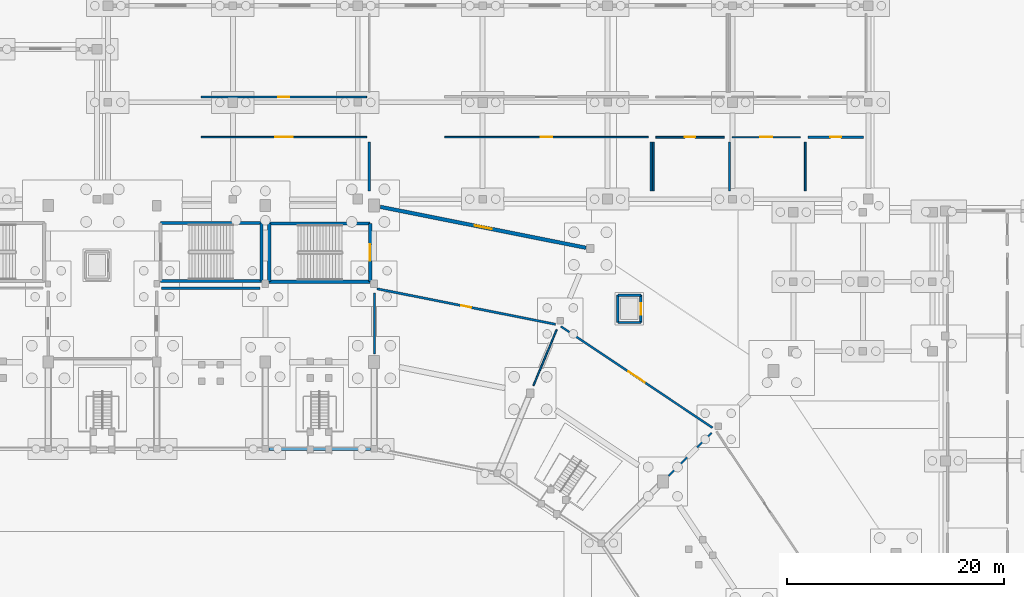
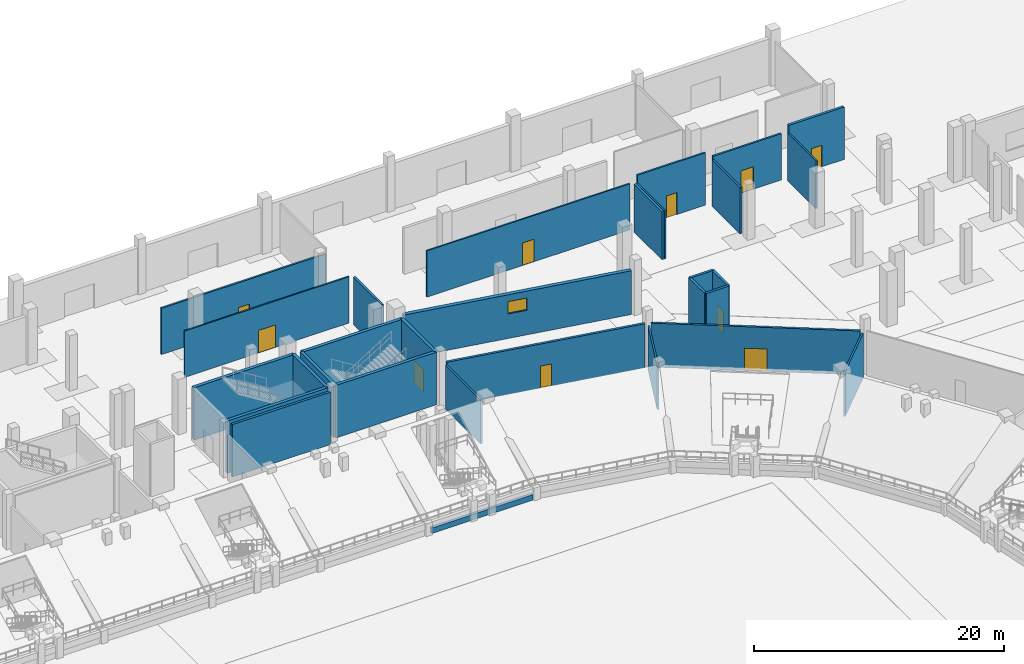
# One storey, part 40 of 68: 30 walls, 10 doors, 1 window, 11 openings.
"""IFC4 building model written with IfcOpenShell, lengths in metres."""

from ifc_helpers import new_model, si_unit, direction, frame, frame_2d, origin, place, context, subcontext, project, spatial, rectangle, extrude, material, layer, layer_set, type_object, element, fill, save


model = new_model("IFC4")

# Units and contexts
model_context = context("Model", 3, precision=1e-05, world=origin(), true_north=direction((0.0, 1.0)))
body_context = subcontext(model_context, "Body", "Model", "MODEL_VIEW")
ifc_project = project(units=[si_unit("LENGTHUNIT", "METRE"), si_unit("AREAUNIT", "SQUARE_METRE"), si_unit("VOLUMEUNIT", "CUBIC_METRE"), si_unit("PLANEANGLEUNIT", "RADIAN"), si_unit("MASSUNIT", "GRAM", prefix="KILO")], contexts=[model_context])

# Site, building, storey
site_placement = place(None, origin())
site = spatial("IfcSite", under=ifc_project, at=site_placement, CompositionType="ELEMENT")
building_placement = place(site_placement, origin())
building = spatial("IfcBuilding", under=site, at=building_placement, Name="Candeia Ridge Stadium", CompositionType="ELEMENT")
storey_placement = place(building_placement, origin())
storey = spatial("IfcBuildingStorey", under=building, at=storey_placement, Name="L00", CompositionType="ELEMENT", Elevation=0.0)

# Wall
ifc_material_1 = material(Name="Gypsum Metal-Stud Partition", Category="gypsum")
ifc_layer_1 = layer(ifc_material_1, 0.14501953125, Name="Gypsum Metal-Stud Partition", Category="gypsum")
ifc_layer_set_1 = layer_set([ifc_layer_1], Name="Gypsum Metal-Stud Partition")
wall_type_1 = type_object("IfcWallType", Name="Athlete Recovery Partition 145", PredefinedType="PARTITIONING", material=ifc_layer_set_1)
wall_1_placement = place(storey_placement, frame((155.67578125, 130.4306640625, 0.0), z_axis=(0.0, 0.0, 1.0), x_axis=(0.382682918336, 0.923879745429, 0.0)))
element("IfcWall", 1, at=wall_1_placement, inside=storey, type_object=wall_type_1, Name="Demising partition PT-L00-0175", PredefinedType="PARTITIONING", context=body_context, shape_type="SweptSolid", body=[
    extrude(rectangle(XDim=5.60009765625, YDim=0.14501953125, at=frame_2d((2.800048828125, 0.0))), origin(), (0.0, 0.0, 1.0), 4.304931640625),
])

# Wall, opening, door
ifc_material_2 = material(Name="Gypsum Acoustic Twin-Stud Assembly", Category="gypsum")
ifc_layer_2 = layer(ifc_material_2, 0.159912109375, Name="Gypsum Acoustic Twin-Stud Assembly", Category="gypsum")
ifc_layer_set_2 = layer_set([ifc_layer_2], Name="Gypsum Acoustic Twin-Stud Assembly")
wall_type_2 = type_object("IfcWallType", Name="Club Dining Acoustic Partition 160", PredefinedType="PARTITIONING", material=ifc_layer_set_2)
wall_2_placement = place(storey_placement, frame((166.949951171875, 153.300048828125, 0.0), z_axis=(0.0, 0.0, 1.0), x_axis=(1.0, 0.0, 0.0)))
wall_2 = element("IfcWall", 2, at=wall_2_placement, inside=storey, type_object=wall_type_2, Name="Interior partition PT-L00-0102", PredefinedType="PARTITIONING", context=body_context, shape_type="SweptSolid", body=[
    extrude(rectangle(XDim=6.300048828125, YDim=0.159912109375, at=frame_2d((3.14990234375, 0.0))), origin(), (0.0, 0.0, 1.0), 5.1201171875),
])
opening_1_placement = place(wall_2_placement, frame((2.659912109375, 0.0, 0.0)))
opening_1 = element("IfcOpeningElement", 3, at=opening_1_placement, cuts=wall_2, Name="Opening ID12", PredefinedType="OPENING", context=body_context, shape_type="SweptSolid", body=[
    extrude(rectangle(XDim=0.97998046875, YDim=2.14990234375, at=frame_2d((0.489990234375, 1.074951171875))), frame((0.0, 0.08984375, 0.0), z_axis=(0.0, -1.0, 0.0), x_axis=(1.0, 0.0, 0.0)), (0.0, 0.0, 1.0), 0.179931640625),
])
ifc_material_3 = material(Name="Acoustic Timber Studio Leaf", Category="wood")
door_type_1 = type_object("IfcDoorType", Name="Commentary Booth Acoustic Door 980x2150", OperationType="NOTDEFINED", PredefinedType="DOOR", material=ifc_material_3)
door_1_placement = place(opening_1_placement, origin())
door_1 = element("IfcDoor", 4, at=door_1_placement, inside=storey, type_object=door_type_1, Name="Interior room door D-L00-0055", OperationType="SINGLE_SWING_LEFT", OverallHeight=2.14990234375, OverallWidth=0.97998046875, PredefinedType="DOOR", context=body_context, shape_type="SweptSolid", body=[
    extrude(rectangle(XDim=0.97998046875, YDim=2.14990234375, at=frame_2d((0.489990234375, 1.074951171875))), frame((0.0, 0.02490234375, 0.0), z_axis=(0.0, -1.0, 0.0), x_axis=(1.0, 0.0, 0.0)), (0.0, 0.0, 1.0), 0.050048828125),
])
fill(opening_1, door_1)

# Walls
wall_3_placement = place(storey_placement, frame((166.699951171875, 148.35009765625, 0.0), z_axis=(0.0, 0.0, 1.0), x_axis=(0.0, 1.0, 0.0)))
element("IfcWall", 5, at=wall_3_placement, inside=storey, type_object=wall_type_2, Name="Demising partition PT-L00-0103", PredefinedType="PARTITIONING", context=body_context, shape_type="SweptSolid", body=[
    extrude(rectangle(XDim=4.5, YDim=0.159912109375, at=frame_2d((2.25, 0.0))), origin(), (0.0, 0.0, 1.0), 4.675048828125),
])
wall_4_placement = place(storey_placement, frame((168.117431640625, 122.117431640625, 0.0), z_axis=(0.0, 0.0, 1.0), x_axis=(0.707106781187, 0.707106781187, 0.0)))
element("IfcWall", 6, at=wall_4_placement, inside=storey, type_object=wall_type_2, Name="Demising partition PT-L00-0173", PredefinedType="PARTITIONING", context=body_context, shape_type="SweptSolid", body=[
    extrude(rectangle(XDim=5.600341796875, YDim=0.159912109375, at=frame_2d((2.80029296875, 0.0))), origin(), (0.0, 0.0, 1.0), 4.385009765625),
])
ifc_material_4 = material(Name="Concrete Masonry Blockwork C25/30", Category="masonry")
ifc_layer_3 = layer(ifc_material_4, 0.14990234375, Name="Concrete Masonry Blockwork C25/30", Category="masonry")
ifc_layer_set_3 = layer_set([ifc_layer_3], Name="Concrete Masonry Blockwork C25/30")
wall_type_3 = type_object("IfcWallType", Name="Concourse Kiosk Partition 150", PredefinedType="PARTITIONING", material=ifc_layer_set_3)
wall_5_placement = place(storey_placement, frame((180.699951171875, 148.35009765625, 0.0), z_axis=(0.0, 0.0, 1.0), x_axis=(0.0, 1.0, 0.0)))
element("IfcWall", 7, at=wall_5_placement, inside=storey, type_object=wall_type_3, Name="Demising partition PT-L00-0111", PredefinedType="PARTITIONING", context=body_context, shape_type="SweptSolid", body=[
    extrude(rectangle(XDim=4.5, YDim=0.14990234375, at=frame_2d((2.25, 0.0))), origin(), (0.0, 0.0, 1.0), 4.675048828125),
])
ifc_material_5 = material(Name="Concrete C45/55", Category="concrete")
ifc_layer_4 = layer(ifc_material_5, 0.300048828125, Name="Concrete C45/55", Category="concrete")
ifc_layer_set_4 = layer_set([ifc_layer_4], Name="Concrete C45/55")
wall_type_4 = type_object("IfcWallType", Name="Core Shear Wall Concrete 300", PredefinedType="SHEAR", material=ifc_layer_set_4)
wall_6_placement = place(storey_placement, frame((140.649658203125, 145.349609375, 0.0), z_axis=(0.0, 0.0, 1.0), x_axis=(-1.0, 0.0, 0.0)))
element("IfcWall", 8, at=wall_6_placement, inside=storey, type_object=wall_type_4, Name="Core C04 left shear wall L00", PredefinedType="SHEAR", context=body_context, shape_type="SweptSolid", body=[
    extrude(rectangle(XDim=9.29931640625, YDim=0.300048828125, at=frame_2d((4.649658203125, 0.0))), origin(), (0.0, 0.0, 1.0), 5.139892578125),
])
wall_7_placement = place(storey_placement, frame((131.350341796875, 145.349609375, 0.0), z_axis=(0.0, 0.0, 1.0), x_axis=(0.0, -1.0, 0.0)))
element("IfcWall", 9, at=wall_7_placement, inside=storey, type_object=wall_type_4, Name="Core C04 far shear wall L00", PredefinedType="SHEAR", context=body_context, shape_type="SweptSolid", body=[
    extrude(rectangle(XDim=5.34912109375, YDim=0.300048828125, at=frame_2d((2.674560546875, 0.0))), origin(), (0.0, 0.0, 1.0), 5.139892578125),
])
wall_8_placement = place(storey_placement, frame((131.350341796875, 140.00048828125, 0.0), z_axis=(0.0, 0.0, 1.0), x_axis=(1.0, 0.0, 0.0)))
element("IfcWall", 10, at=wall_8_placement, inside=storey, type_object=wall_type_4, Name="Core C04 right shear wall L00", PredefinedType="SHEAR", context=body_context, shape_type="SweptSolid", body=[
    extrude(rectangle(XDim=9.29931640625, YDim=0.300048828125, at=frame_2d((4.649658203125, 0.0))), origin(), (0.0, 0.0, 1.0), 5.139892578125),
])

# Wall, opening, door
wall_9_placement = place(storey_placement, frame((140.649658203125, 140.00048828125, 0.0), z_axis=(0.0, 0.0, 1.0), x_axis=(0.0, 1.0, 0.0)))
wall_9 = element("IfcWall", 11, at=wall_9_placement, inside=storey, type_object=wall_type_4, Name="Core C04 near shear wall L00", PredefinedType="SHEAR", context=body_context, shape_type="SweptSolid", body=[
    extrude(rectangle(XDim=5.34912109375, YDim=0.300048828125, at=frame_2d((2.674560546875, 0.0))), origin(), (0.0, 0.0, 1.0), 5.139892578125),
])
opening_2_placement = place(wall_9_placement, frame((1.924560546875, 0.0, 0.0)))
opening_2 = element("IfcOpeningElement", 12, at=opening_2_placement, cuts=wall_9, Name="Opening FD01", PredefinedType="OPENING", context=body_context, shape_type="SweptSolid", body=[
    extrude(rectangle(XDim=1.5, YDim=2.199951171875, at=frame_2d((0.75, 1.10009765625))), frame((0.0, 0.159912109375, 0.0), z_axis=(0.0, -1.0, 0.0), x_axis=(1.0, 0.0, 0.0)), (0.0, 0.0, 1.0), 0.320068359375),
])
ifc_material_6 = material(Name="Galvanized Fire-Rated Steel", Category="steel")
door_type_2 = type_object("IfcDoorType", Name="Exit Stair Core Fire Door 1500x2200", OperationType="NOTDEFINED", PredefinedType="DOOR", material=ifc_material_6)
door_2_placement = place(opening_2_placement, frame((1.5, 0.0, 0.0), z_axis=(0.0, 0.0, 1.0), x_axis=(-1.0, 0.0, 0.0)))
door_2 = element("IfcDoor", 13, at=door_2_placement, inside=storey, type_object=door_type_2, Name="Exit stair fire door SD-ST04-L00", OperationType="DOUBLE_DOOR_SINGLE_SWING", OverallHeight=2.199951171875, OverallWidth=1.5, PredefinedType="DOOR", context=body_context, shape_type="SweptSolid", body=[
    extrude(rectangle(XDim=1.5, YDim=2.199951171875, at=frame_2d((0.75, 1.10009765625))), frame((0.0, 0.02490234375, 0.0), z_axis=(0.0, -1.0, 0.0), x_axis=(1.0, 0.0, 0.0)), (0.0, 0.0, 1.0), 0.050048828125),
])
fill(opening_2, door_2)

# Walls
wall_10_placement = place(storey_placement, frame((121.350341796875, 140.05029296875, 0.0), z_axis=(0.0, 0.0, 1.0), x_axis=(1.0, 0.0, 0.0)))
element("IfcWall", 14, at=wall_10_placement, inside=storey, type_object=wall_type_4, Name="Core C10 left shear wall L00", PredefinedType="SHEAR", context=body_context, shape_type="SweptSolid", body=[
    extrude(rectangle(XDim=9.29931640625, YDim=0.300048828125, at=frame_2d((4.649658203125, 0.0))), origin(), (0.0, 0.0, 1.0), 5.139892578125),
])
wall_11_placement = place(storey_placement, frame((130.649658203125, 140.05029296875, 0.0), z_axis=(0.0, 0.0, 1.0), x_axis=(0.0, 1.0, 0.0)))
element("IfcWall", 15, at=wall_11_placement, inside=storey, type_object=wall_type_4, Name="Core C10 far shear wall L00", PredefinedType="SHEAR", context=body_context, shape_type="SweptSolid", body=[
    extrude(rectangle(XDim=5.349365234375, YDim=0.300048828125, at=frame_2d((2.6748046875, 0.0))), origin(), (0.0, 0.0, 1.0), 5.139892578125),
])
wall_12_placement = place(storey_placement, frame((130.649658203125, 145.399658203125, 0.0), z_axis=(0.0, 0.0, 1.0), x_axis=(-1.0, 0.0, 0.0)))
element("IfcWall", 16, at=wall_12_placement, inside=storey, type_object=wall_type_4, Name="Core C10 right shear wall L00", PredefinedType="SHEAR", context=body_context, shape_type="SweptSolid", body=[
    extrude(rectangle(XDim=9.29931640625, YDim=0.300048828125, at=frame_2d((4.649658203125, 0.0))), origin(), (0.0, 0.0, 1.0), 5.139892578125),
])

# Wall, opening, door
ifc_material_7 = material(Name="Moisture-Resistant Masonry & Tile", Category="masonry")
ifc_layer_5 = layer(ifc_material_7, 0.22998046875, Name="Moisture-Resistant Masonry & Tile", Category="masonry")
ifc_layer_set_5 = layer_set([ifc_layer_5], Name="Moisture-Resistant Masonry & Tile")
wall_type_5 = type_object("IfcWallType", Name="Dressing Suite Wet-Wall Chase 230", PredefinedType="PLUMBINGWALL", material=ifc_layer_set_5)
wall_13_placement = place(storey_placement, frame((180.949951171875, 153.300048828125, 0.0), z_axis=(0.0, 0.0, 1.0), x_axis=(1.0, 0.0, 0.0)))
wall_13 = element("IfcWall", 17, at=wall_13_placement, inside=storey, type_object=wall_type_5, Name="Interior partition PT-L00-0110", PredefinedType="PLUMBINGWALL", context=body_context, shape_type="SweptSolid", body=[
    extrude(rectangle(XDim=5.10009765625, YDim=0.22998046875, at=frame_2d((2.550048828125, 0.0))), origin(), (0.0, 0.0, 1.0), 5.1201171875),
])
opening_3_placement = place(wall_13_placement, frame((2.050048828125, 0.0, 0.0)))
opening_3 = element("IfcOpeningElement", 18, at=opening_3_placement, cuts=wall_13, Name="Opening ID06", PredefinedType="OPENING", context=body_context, shape_type="SweptSolid", body=[
    extrude(rectangle(XDim=1.0, YDim=2.10009765625, at=frame_2d((0.5, 1.050048828125))), frame((0.0, 0.125, 0.0), z_axis=(0.0, -1.0, 0.0), x_axis=(1.0, 0.0, 0.0)), (0.0, 0.0, 1.0), 0.25),
])
ifc_material_8 = material(Name="Moisture-Resistant Laminate", Category="wood")
door_type_3 = type_object("IfcDoorType", Name="Accessible Sanitary Door 1000x2100", OperationType="NOTDEFINED", PredefinedType="DOOR", material=ifc_material_8)
door_3_placement = place(opening_3_placement, frame((1.0, 0.0, 0.0), z_axis=(0.0, 0.0, 1.0), x_axis=(-1.0, 0.0, 0.0)))
door_3 = element("IfcDoor", 19, at=door_3_placement, inside=storey, type_object=door_type_3, Name="Interior room door D-L00-0059", OperationType="SINGLE_SWING_RIGHT", OverallHeight=2.10009765625, OverallWidth=1.0, PredefinedType="DOOR", context=body_context, shape_type="SweptSolid", body=[
    extrude(rectangle(XDim=1.0, YDim=2.10009765625, at=frame_2d((0.5, 1.050048828125))), frame((0.0, 0.02490234375, 0.0), z_axis=(0.0, -1.0, 0.0), x_axis=(1.0, 0.0, 0.0)), (0.0, 0.0, 1.0), 0.050048828125),
])
fill(opening_3, door_3)

# Wall
wall_14_placement = place(storey_placement, frame((121.449951171875, 139.39990234375, 0.0), z_axis=(0.0, 0.0, 1.0), x_axis=(1.0, 0.0, 0.0)))
element("IfcWall", 20, at=wall_14_placement, inside=storey, type_object=wall_type_5, Name="Demising partition PT-L00-0115", PredefinedType="PLUMBINGWALL", context=body_context, shape_type="SweptSolid", body=[
    extrude(rectangle(XDim=9.06005859375, YDim=0.22998046875, at=frame_2d((4.530029296875, 0.0))), origin(), (0.0, 0.0, 1.0), 5.1201171875),
])

# Wall, opening, window
ifc_material_9 = material(Name="Concrete C40/50", Category="concrete")
ifc_layer_6 = layer(ifc_material_9, 0.340087890625, Name="Concrete C40/50", Category="concrete")
ifc_layer_set_6 = layer_set([ifc_layer_6], Name="Concrete C40/50")
wall_type_6 = type_object("IfcWallType", Name="Exterior Acoustic Bowl Plinth Wall 340", PredefinedType="SOLIDWALL", material=ifc_layer_set_6)
wall_15_placement = place(storey_placement, frame((160.511474609375, 143.118896484375, 0.0), z_axis=(0.0, 0.0, 1.0), x_axis=(-0.98078547189, 0.195089359346, 0.0)))
wall_15 = element("IfcWall", 21, at=wall_15_placement, inside=storey, type_object=wall_type_6, Name="Bowl plinth exterior wall EW-L00-0008", PredefinedType="SOLIDWALL", context=body_context, shape_type="SweptSolid", body=[
    extrude(rectangle(XDim=19.29833984375, YDim=0.340087890625, at=frame_2d((9.649169921875, 0.0))), origin(), (0.0, 0.0, 1.0), 4.27490234375),
])
opening_4_placement = place(wall_15_placement, frame((8.84912109375, 0.0, 2.39990234375)))
opening_4 = element("IfcOpeningElement", 22, at=opening_4_placement, cuts=wall_15, Name="Opening W15", PredefinedType="OPENING", context=body_context, shape_type="SweptSolid", body=[
    extrude(rectangle(XDim=1.60009765625, YDim=1.199951171875, at=frame_2d((0.800048828125, 0.60009765625))), frame((0.0, 0.179931640625, 0.0), z_axis=(0.0, -1.0, 0.0), x_axis=(1.0, 0.0, 0.0)), (0.0, 0.0, 1.0), 0.360107421875),
])
ifc_material_10 = material(Name="Tempered Solar-Control Double Glazing", Category="glass")
window_type = type_object("IfcWindowType", Name="Plant Acoustic Louvre Window 1600x1200", PartitioningType="SINGLE_PANEL", PredefinedType="WINDOW", material=ifc_material_10)
window_placement = place(opening_4_placement, origin())
window = element("IfcWindow", 23, at=window_placement, inside=storey, type_object=window_type, Name="Bowl plinth louvre window WIN-BWL-008", OverallHeight=1.199951171875, OverallWidth=1.60009765625, PartitioningType="SINGLE_PANEL", PredefinedType="WINDOW", context=body_context, shape_type="SweptSolid", body=[
    extrude(rectangle(XDim=1.60009765625, YDim=1.199951171875, at=frame_2d((0.800048828125, 0.60009765625))), frame((0.0, 0.030029296875, 0.0), z_axis=(0.0, -1.0, 0.0), x_axis=(1.0, 0.0, 0.0)), (0.0, 0.0, 1.0), 0.06005859375),
])
fill(opening_4, window)

# Wall, opening, door
ifc_layer_7 = layer(ifc_material_1, 0.135009765625, Name="Gypsum Metal-Stud Partition", Category="gypsum")
ifc_layer_set_7 = layer_set([ifc_layer_7], Name="Gypsum Metal-Stud Partition")
wall_type_7 = type_object("IfcWallType", Name="General Room Partition 135", PredefinedType="PARTITIONING", material=ifc_layer_set_7)
wall_16_placement = place(storey_placement, frame((147.489990234375, 153.300048828125, 0.0), z_axis=(0.0, 0.0, 1.0), x_axis=(1.0, 0.0, 0.0)))
wall_16 = element("IfcWall", 24, at=wall_16_placement, inside=storey, type_object=wall_type_7, Name="Interior partition PT-L00-0099", PredefinedType="PARTITIONING", context=body_context, shape_type="SweptSolid", body=[
    extrude(rectangle(XDim=18.760009765625, YDim=0.135009765625, at=frame_2d((9.3798828125, 0.0))), origin(), (0.0, 0.0, 1.0), 4.52490234375),
])
opening_5_placement = place(wall_16_placement, frame((8.85498046875, 0.0, 0.0)))
opening_5 = element("IfcOpeningElement", 25, at=opening_5_placement, cuts=wall_16, Name="Opening ID01", PredefinedType="OPENING", context=body_context, shape_type="SweptSolid", body=[
    extrude(rectangle(XDim=1.050048828125, YDim=2.199951171875, at=frame_2d((0.52490234375, 1.10009765625))), frame((0.0, 0.077392578125, 0.0), z_axis=(0.0, -1.0, 0.0), x_axis=(1.0, 0.0, 0.0)), (0.0, 0.0, 1.0), 0.155029296875),
])
ifc_material_11 = material(Name="Western Red Cedar Acoustic Veneer", Category="wood")
door_type_4 = type_object("IfcDoorType", Name="Hospitality Suite Entrance Door 1050x2200", OperationType="NOTDEFINED", PredefinedType="DOOR", material=ifc_material_11)
door_4_placement = place(opening_5_placement, frame((1.050048828125, 0.0, 0.0), z_axis=(0.0, 0.0, 1.0), x_axis=(-1.0, 0.0, 0.0)))
door_4 = element("IfcDoor", 26, at=door_4_placement, inside=storey, type_object=door_type_4, Name="Interior room door D-L00-0053", OperationType="SINGLE_SWING_RIGHT", OverallHeight=2.199951171875, OverallWidth=1.050048828125, PredefinedType="DOOR", context=body_context, shape_type="SweptSolid", body=[
    extrude(rectangle(XDim=1.050048828125, YDim=2.199951171875, at=frame_2d((0.52490234375, 1.10009765625))), frame((0.0, 0.02490234375, 0.0), z_axis=(0.0, -1.0, 0.0), x_axis=(1.0, 0.0, 0.0)), (0.0, 0.0, 1.0), 0.050048828125),
])
fill(opening_5, door_4)

ifc_layer_8 = layer(ifc_material_2, 0.1650390625, Name="Gypsum Acoustic Twin-Stud Assembly", Category="gypsum")
ifc_layer_set_8 = layer_set([ifc_layer_8], Name="Gypsum Acoustic Twin-Stud Assembly")
wall_type_8 = type_object("IfcWallType", Name="Hospitality Suite Acoustic Wall 165", PredefinedType="PARTITIONING", material=ifc_layer_set_8)
wall_17_placement = place(storey_placement, frame((140.31005859375, 157.0, 0.0), z_axis=(0.0, 0.0, 1.0), x_axis=(-1.0, 0.0, 0.0)))
wall_17 = element("IfcWall", 27, at=wall_17_placement, inside=storey, type_object=wall_type_8, Name="Interior partition PT-L00-0097", PredefinedType="PARTITIONING", context=body_context, shape_type="SweptSolid", body=[
    extrude(rectangle(XDim=15.219970703125, YDim=0.1650390625, at=frame_2d((7.60986328125, 0.0))), origin(), (0.0, 0.0, 1.0), 4.52490234375),
])
opening_6_placement = place(wall_17_placement, frame((7.110107421875, 0.0, 0.0)))
opening_6 = element("IfcOpeningElement", 28, at=opening_6_placement, cuts=wall_17, Name="Opening ID06", PredefinedType="OPENING", context=body_context, shape_type="SweptSolid", body=[
    extrude(rectangle(XDim=1.0, YDim=2.10009765625, at=frame_2d((0.5, 1.050048828125))), frame((0.0, 0.092529296875, 0.0), z_axis=(0.0, -1.0, 0.0), x_axis=(1.0, 0.0, 0.0)), (0.0, 0.0, 1.0), 0.18505859375),
])
door_5_placement = place(opening_6_placement, frame((1.0, 0.0, 0.0), z_axis=(0.0, 0.0, 1.0), x_axis=(-1.0, 0.0, 0.0)))
door_5 = element("IfcDoor", 29, at=door_5_placement, inside=storey, type_object=door_type_3, Name="Interior room door D-L00-0052", OperationType="SINGLE_SWING_LEFT", OverallHeight=2.10009765625, OverallWidth=1.0, PredefinedType="DOOR", context=body_context, shape_type="SweptSolid", body=[
    extrude(rectangle(XDim=1.0, YDim=2.10009765625, at=frame_2d((0.5, 1.050048828125))), frame((0.0, 0.02490234375, 0.0), z_axis=(0.0, -1.0, 0.0), x_axis=(1.0, 0.0, 0.0)), (0.0, 0.0, 1.0), 0.050048828125),
])
fill(opening_6, door_5)

wall_18_placement = place(storey_placement, frame((173.949951171875, 153.300048828125, 0.0), z_axis=(0.0, 0.0, 1.0), x_axis=(1.0, 0.0, 0.0)))
wall_18 = element("IfcWall", 30, at=wall_18_placement, inside=storey, type_object=wall_type_8, Name="Interior partition PT-L00-0106", PredefinedType="PARTITIONING", context=body_context, shape_type="SweptSolid", body=[
    extrude(rectangle(XDim=6.300048828125, YDim=0.1650390625, at=frame_2d((3.14990234375, 0.0))), origin(), (0.0, 0.0, 1.0), 4.52490234375),
])
opening_7_placement = place(wall_18_placement, frame((2.590087890625, 0.0, 0.0)))
opening_7 = element("IfcOpeningElement", 31, at=opening_7_placement, cuts=wall_18, Name="Opening ID18", PredefinedType="OPENING", context=body_context, shape_type="SweptSolid", body=[
    extrude(rectangle(XDim=1.1201171875, YDim=2.199951171875, at=frame_2d((0.56005859375, 1.10009765625))), frame((0.0, 0.092529296875, 0.0), z_axis=(0.0, -1.0, 0.0), x_axis=(1.0, 0.0, 0.0)), (0.0, 0.0, 1.0), 0.18505859375),
])
door_type_5 = type_object("IfcDoorType", Name="Control Room Security Door 1120x2200", OperationType="NOTDEFINED", PredefinedType="DOOR", material=ifc_material_6)
door_6_placement = place(opening_7_placement, frame((1.1201171875, 0.0, 0.0), z_axis=(0.0, 0.0, 1.0), x_axis=(-1.0, 0.0, 0.0)))
door_6 = element("IfcDoor", 32, at=door_6_placement, inside=storey, type_object=door_type_5, Name="Interior room door D-L00-0057", OperationType="SINGLE_SWING_LEFT", OverallHeight=2.199951171875, OverallWidth=1.1201171875, PredefinedType="DOOR", context=body_context, shape_type="SweptSolid", body=[
    extrude(rectangle(XDim=1.1201171875, YDim=2.199951171875, at=frame_2d((0.56005859375, 1.10009765625))), frame((0.0, 0.02490234375, 0.0), z_axis=(0.0, -1.0, 0.0), x_axis=(1.0, 0.0, 0.0)), (0.0, 0.0, 1.0), 0.050048828125),
])
fill(opening_7, door_6)

# Wall
ifc_layer_9 = layer(ifc_material_9, 0.219970703125, Name="Concrete C40/50", Category="concrete")
ifc_layer_set_9 = layer_set([ifc_layer_9], Name="Concrete C40/50")
wall_type_9 = type_object("IfcWallType", Name="Lift & Riser Shaft Wall 220", PredefinedType="SHEAR", material=ifc_layer_set_9)
wall_19_placement = place(storey_placement, frame((163.43994140625, 136.239990234375, -1.10009765625), z_axis=(0.0, 0.0, 1.0), x_axis=(1.0, 0.0, 0.0)))
element("IfcWall", 33, at=wall_19_placement, inside=storey, type_object=wall_type_9, Name="Lift EL2 shaft wall L00 south", PredefinedType="SHEAR", context=body_context, shape_type="SweptSolid", body=[
    extrude(rectangle(XDim=2.1201171875, YDim=0.219970703125, at=frame_2d((1.06005859375, 0.0))), origin(), (0.0, 0.0, 1.0), 6.239990234375),
])

# Wall, opening, door
wall_20_placement = place(storey_placement, frame((165.56005859375, 136.239990234375, -1.10009765625), z_axis=(0.0, 0.0, 1.0), x_axis=(0.0, 1.0, 0.0)))
wall_20 = element("IfcWall", 34, at=wall_20_placement, inside=storey, type_object=wall_type_9, Name="Lift EL2 shaft wall L00 east", PredefinedType="SHEAR", context=body_context, shape_type="SweptSolid", body=[
    extrude(rectangle(XDim=2.52001953125, YDim=0.219970703125, at=frame_2d((1.260009765625, 0.0))), origin(), (0.0, 0.0, 1.0), 6.239990234375),
])
opening_8_placement = place(wall_20_placement, frame((0.735107421875, 0.0, 1.10009765625)))
opening_8 = element("IfcOpeningElement", 35, at=opening_8_placement, cuts=wall_20, Name="Opening LD02", PredefinedType="OPENING", context=body_context, shape_type="SweptSolid", body=[
    extrude(rectangle(XDim=1.050048828125, YDim=2.14990234375, at=frame_2d((0.52490234375, 1.074951171875))), frame((0.0, 0.119873046875, 0.0), z_axis=(0.0, -1.0, 0.0), x_axis=(1.0, 0.0, 0.0)), (0.0, 0.0, 1.0), 0.239990234375),
])
ifc_material_12 = material(Name="Brushed Stainless Steel", Category="steel")
door_type_6 = type_object("IfcDoorType", Name="Passenger Lift Landing Door 1050x2150", OperationType="NOTDEFINED", PredefinedType="DOOR", material=ifc_material_12)
door_7_placement = place(opening_8_placement, origin())
door_7 = element("IfcDoor", 36, at=door_7_placement, inside=storey, type_object=door_type_6, Name="Lift landing sliding door LD-EL2-L00", OperationType="DOUBLE_DOOR_SLIDING", OverallHeight=2.14990234375, OverallWidth=1.050048828125, PredefinedType="DOOR", context=body_context, shape_type="SweptSolid", body=[
    extrude(rectangle(XDim=1.050048828125, YDim=2.14990234375, at=frame_2d((0.52490234375, 1.074951171875))), frame((0.0, 0.02490234375, 0.0), z_axis=(0.0, -1.0, 0.0), x_axis=(1.0, 0.0, 0.0)), (0.0, 0.0, 1.0), 0.050048828125),
])
fill(opening_8, door_7)

# Walls
wall_21_placement = place(storey_placement, frame((165.56005859375, 138.760009765625, -1.10009765625), z_axis=(0.0, 0.0, 1.0), x_axis=(-1.0, 0.0, 0.0)))
element("IfcWall", 37, at=wall_21_placement, inside=storey, type_object=wall_type_9, Name="Lift EL2 shaft wall L00 north", PredefinedType="SHEAR", context=body_context, shape_type="SweptSolid", body=[
    extrude(rectangle(XDim=2.1201171875, YDim=0.219970703125, at=frame_2d((1.06005859375, 0.0))), origin(), (0.0, 0.0, 1.0), 6.239990234375),
])
wall_22_placement = place(storey_placement, frame((163.43994140625, 138.760009765625, -1.10009765625), z_axis=(0.0, 0.0, 1.0), x_axis=(0.0, -1.0, 0.0)))
element("IfcWall", 38, at=wall_22_placement, inside=storey, type_object=wall_type_9, Name="Lift EL2 shaft wall L00 west", PredefinedType="SHEAR", context=body_context, shape_type="SweptSolid", body=[
    extrude(rectangle(XDim=2.52001953125, YDim=0.219970703125, at=frame_2d((1.260009765625, 0.0))), origin(), (0.0, 0.0, 1.0), 6.239990234375),
])
ifc_material_13 = material(Name="Gypsum Acoustic Triple-Board Wall", Category="gypsum")
ifc_layer_10 = layer(ifc_material_13, 0.18994140625, Name="Gypsum Acoustic Triple-Board Wall", Category="gypsum")
ifc_layer_set_10 = layer_set([ifc_layer_10], Name="Gypsum Acoustic Triple-Board Wall")
wall_type_10 = type_object("IfcWallType", Name="Media & Commentary Studio Wall 190", PredefinedType="PARTITIONING", material=ifc_layer_set_10)
wall_23_placement = place(storey_placement, frame((140.56005859375, 152.85009765625, 0.0), z_axis=(0.0, 0.0, 1.0), x_axis=(0.0, -1.0, 0.0)))
element("IfcWall", 39, at=wall_23_placement, inside=storey, type_object=wall_type_10, Name="Demising partition PT-L00-0096", PredefinedType="PARTITIONING", context=body_context, shape_type="SweptSolid", body=[
    extrude(rectangle(XDim=4.5, YDim=0.18994140625, at=frame_2d((2.25, 0.0))), origin(), (0.0, 0.0, 1.0), 4.675048828125),
])

# Wall, opening, door
wall_24_placement = place(storey_placement, frame((158.198974609375, 135.88134765625, 0.0), z_axis=(0.0, 0.0, 1.0), x_axis=(0.831472453136, -0.555565981388, 0.0)))
wall_24 = element("IfcWall", 40, at=wall_24_placement, inside=storey, type_object=wall_type_10, Name="Interior partition PT-L00-0174", PredefinedType="PARTITIONING", context=body_context, shape_type="SweptSolid", body=[
    extrude(rectangle(XDim=16.783203125, YDim=0.18994140625, at=frame_2d((8.3916015625, 0.0))), origin(), (0.0, 0.0, 1.0), 4.304931640625),
])
opening_9_placement = place(wall_24_placement, frame((7.49169921875, 0.0, 0.0)))
opening_9 = element("IfcOpeningElement", 41, at=opening_9_placement, cuts=wall_24, Name="Opening FD03", PredefinedType="OPENING", context=body_context, shape_type="SweptSolid", body=[
    extrude(rectangle(XDim=1.800048828125, YDim=2.199951171875, at=frame_2d((0.89990234375, 1.10009765625))), frame((0.0, 0.10498046875, 0.0), z_axis=(0.0, -1.0, 0.0), x_axis=(1.0, 0.0, 0.0)), (0.0, 0.0, 1.0), 0.2099609375),
])
ifc_material_14 = material(Name="Timber Fire-Rated Acoustic", Category="wood")
door_type_7 = type_object("IfcDoorType", Name="Corridor Compartment Double Door 1800x2200", OperationType="NOTDEFINED", PredefinedType="DOOR", material=ifc_material_14)
door_8_placement = place(opening_9_placement, origin())
door_8 = element("IfcDoor", 42, at=door_8_placement, inside=storey, type_object=door_type_7, Name="Interior room door D-L00-0091", OperationType="DOUBLE_DOOR_SINGLE_SWING", OverallHeight=2.199951171875, OverallWidth=1.800048828125, PredefinedType="DOOR", context=body_context, shape_type="SweptSolid", body=[
    extrude(rectangle(XDim=1.800048828125, YDim=2.199951171875, at=frame_2d((0.89990234375, 1.10009765625))), frame((0.0, 0.02490234375, 0.0), z_axis=(0.0, -1.0, 0.0), x_axis=(1.0, 0.0, 0.0)), (0.0, 0.0, 1.0), 0.050048828125),
])
fill(opening_9, door_8)

# Walls
ifc_layer_11 = layer(ifc_material_13, 0.18505859375, Name="Gypsum Acoustic Triple-Board Wall", Category="gypsum")
ifc_layer_set_11 = layer_set([ifc_layer_11], Name="Gypsum Acoustic Triple-Board Wall")
wall_type_11 = type_object("IfcWallType", Name="Media Booth Studio Divider 185", PredefinedType="PARTITIONING", material=ifc_layer_set_11)
wall_25_placement = place(storey_placement, frame((173.699951171875, 148.35009765625, 0.0), z_axis=(0.0, 0.0, 1.0), x_axis=(0.0, 1.0, 0.0)))
element("IfcWall", 43, at=wall_25_placement, inside=storey, type_object=wall_type_11, Name="Demising partition PT-L00-0107", PredefinedType="PARTITIONING", context=body_context, shape_type="SweptSolid", body=[
    extrude(rectangle(XDim=4.5, YDim=0.18505859375, at=frame_2d((2.25, 0.0))), origin(), (0.0, 0.0, 1.0), 4.52490234375),
])
wall_26_placement = place(storey_placement, frame((141.0400390625, 133.35009765625, 0.0), z_axis=(0.0, 0.0, 1.0), x_axis=(0.0, 1.0, 0.0)))
element("IfcWall", 44, at=wall_26_placement, inside=storey, type_object=wall_type_11, Name="Demising partition PT-L00-0177", PredefinedType="PARTITIONING", context=body_context, shape_type="SweptSolid", body=[
    extrude(rectangle(XDim=5.591796875, YDim=0.18505859375, at=frame_2d((2.7958984375, 0.0))), origin(), (0.0, 0.0, 1.0), 4.304931640625),
])
ifc_layer_12 = layer(ifc_material_5, 0.264892578125, Name="Concrete C45/55", Category="concrete")
ifc_layer_set_12 = layer_set([ifc_layer_12], Name="Concrete C45/55")
wall_type_12 = type_object("IfcWallType", Name="Pitch-Side Moat Retaining Wall 265", PredefinedType="SOLIDWALL", material=ifc_layer_set_12)
wall_27_placement = place(storey_placement, frame((140.679931640625, 124.60009765625, 0.0), z_axis=(0.0, 0.0, 1.0), x_axis=(-1.0, 0.0, 0.0)))
element("IfcWall", 45, at=wall_27_placement, inside=storey, type_object=wall_type_12, Name="Pitch-side moat wall EW-L00-0009", PredefinedType="SOLIDWALL", context=body_context, shape_type="SweptSolid", body=[
    extrude(rectangle(XDim=9.35986328125, YDim=0.264892578125, at=frame_2d((4.679931640625, 0.0))), origin(), (0.0, 0.0, 1.0), 0.5400390625),
])
ifc_layer_13 = layer(ifc_material_7, 0.2099609375, Name="Moisture-Resistant Masonry & Tile", Category="masonry")
ifc_layer_set_13 = layer_set([ifc_layer_13], Name="Moisture-Resistant Masonry & Tile")
wall_type_13 = type_object("IfcWallType", Name="Sanitary Wet-Wall Plumbing Chase 210", PredefinedType="PLUMBINGWALL", material=ifc_layer_set_13)
wall_28_placement = place(storey_placement, frame((166.5, 152.85009765625, 0.0), z_axis=(0.0, 0.0, 1.0), x_axis=(0.0, -1.0, 0.0)))
element("IfcWall", 46, at=wall_28_placement, inside=storey, type_object=wall_type_13, Name="Demising partition PT-L00-0100", PredefinedType="PLUMBINGWALL", context=body_context, shape_type="SweptSolid", body=[
    extrude(rectangle(XDim=4.5, YDim=0.2099609375, at=frame_2d((2.25, 0.0))), origin(), (0.0, 0.0, 1.0), 4.675048828125),
])

# Wall, opening, door
wall_29_placement = place(storey_placement, frame((141.28515625, 139.34326171875, 0.0), z_axis=(0.0, 0.0, 1.0), x_axis=(0.980784295226, -0.195095274771, 0.0)))
wall_29 = element("IfcWall", 47, at=wall_29_placement, inside=storey, type_object=wall_type_13, Name="Interior partition PT-L00-0176", PredefinedType="PLUMBINGWALL", context=body_context, shape_type="SweptSolid", body=[
    extrude(rectangle(XDim=16.742431640625, YDim=0.2099609375, at=frame_2d((8.37109375, 0.0))), origin(), (0.0, 0.0, 1.0), 4.304931640625),
])
opening_10_placement = place(wall_29_placement, frame((7.896240234375, 0.0, 0.0)))
opening_10 = element("IfcOpeningElement", 48, at=opening_10_placement, cuts=wall_29, Name="Opening ID05", PredefinedType="OPENING", context=body_context, shape_type="SweptSolid", body=[
    extrude(rectangle(XDim=0.949951171875, YDim=2.14990234375, at=frame_2d((0.47509765625, 1.074951171875))), frame((0.0, 0.114990234375, 0.0), z_axis=(0.0, -1.0, 0.0), x_axis=(1.0, 0.0, 0.0)), (0.0, 0.0, 1.0), 0.22998046875),
])
ifc_material_15 = material(Name="Solid Core Cedar Veneer", Category="wood")
door_type_8 = type_object("IfcDoorType", Name="General Room Single Door 950x2150", OperationType="NOTDEFINED", PredefinedType="DOOR", material=ifc_material_15)
door_9_placement = place(opening_10_placement, frame((0.949951171875, 0.0, 0.0), z_axis=(0.0, 0.0, 1.0), x_axis=(-1.0, 0.0, 0.0)))
door_9 = element("IfcDoor", 49, at=door_9_placement, inside=storey, type_object=door_type_8, Name="Interior room door D-L00-0092", OperationType="SINGLE_SWING_LEFT", OverallHeight=2.14990234375, OverallWidth=0.949951171875, PredefinedType="DOOR", context=body_context, shape_type="SweptSolid", body=[
    extrude(rectangle(XDim=0.949951171875, YDim=2.14990234375, at=frame_2d((0.47509765625, 1.074951171875))), frame((0.0, 0.02490234375, 0.0), z_axis=(0.0, -1.0, 0.0), x_axis=(1.0, 0.0, 0.0)), (0.0, 0.0, 1.0), 0.050048828125),
])
fill(opening_10, door_9)

ifc_layer_14 = layer(ifc_material_1, 0.1298828125, Name="Gypsum Metal-Stud Partition", Category="gypsum")
ifc_layer_set_14 = layer_set([ifc_layer_14], Name="Gypsum Metal-Stud Partition")
wall_type_14 = type_object("IfcWallType", Name="Ticketing Back-Office Partition 130", PredefinedType="PARTITIONING", material=ifc_layer_set_14)
wall_30_placement = place(storey_placement, frame((125.090087890625, 153.300048828125, 0.0), z_axis=(0.0, 0.0, 1.0), x_axis=(1.0, 0.0, 0.0)))
wall_30 = element("IfcWall", 50, at=wall_30_placement, inside=storey, type_object=wall_type_14, Name="Interior partition PT-L00-0095", PredefinedType="PARTITIONING", context=body_context, shape_type="SweptSolid", body=[
    extrude(rectangle(XDim=15.219970703125, YDim=0.1298828125, at=frame_2d((7.60986328125, 0.0))), origin(), (0.0, 0.0, 1.0), 4.52490234375),
])
opening_11_placement = place(wall_30_placement, frame((6.81005859375, 0.0, 0.0)))
opening_11 = element("IfcOpeningElement", 51, at=opening_11_placement, cuts=wall_30, Name="Opening ID03", PredefinedType="OPENING", context=body_context, shape_type="SweptSolid", body=[
    extrude(rectangle(XDim=1.60009765625, YDim=2.199951171875, at=frame_2d((0.800048828125, 1.10009765625))), frame((0.0, 0.074951171875, 0.0), z_axis=(0.0, -1.0, 0.0), x_axis=(1.0, 0.0, 0.0)), (0.0, 0.0, 1.0), 0.14990234375),
])
ifc_material_16 = material(Name="Solid Core Hardwood Veneer", Category="wood")
door_type_9 = type_object("IfcDoorType", Name="Athlete Dressing Double Door 1600x2200", OperationType="NOTDEFINED", PredefinedType="DOOR", material=ifc_material_16)
door_10_placement = place(opening_11_placement, origin())
door_10 = element("IfcDoor", 52, at=door_10_placement, inside=storey, type_object=door_type_9, Name="Interior room door D-L00-0051", OperationType="DOUBLE_DOOR_SINGLE_SWING", OverallHeight=2.199951171875, OverallWidth=1.60009765625, PredefinedType="DOOR", context=body_context, shape_type="SweptSolid", body=[
    extrude(rectangle(XDim=1.60009765625, YDim=2.199951171875, at=frame_2d((0.800048828125, 1.10009765625))), frame((0.0, 0.02490234375, 0.0), z_axis=(0.0, -1.0, 0.0), x_axis=(1.0, 0.0, 0.0)), (0.0, 0.0, 1.0), 0.050048828125),
])
fill(opening_11, door_10)

save(model, "model.ifc")
